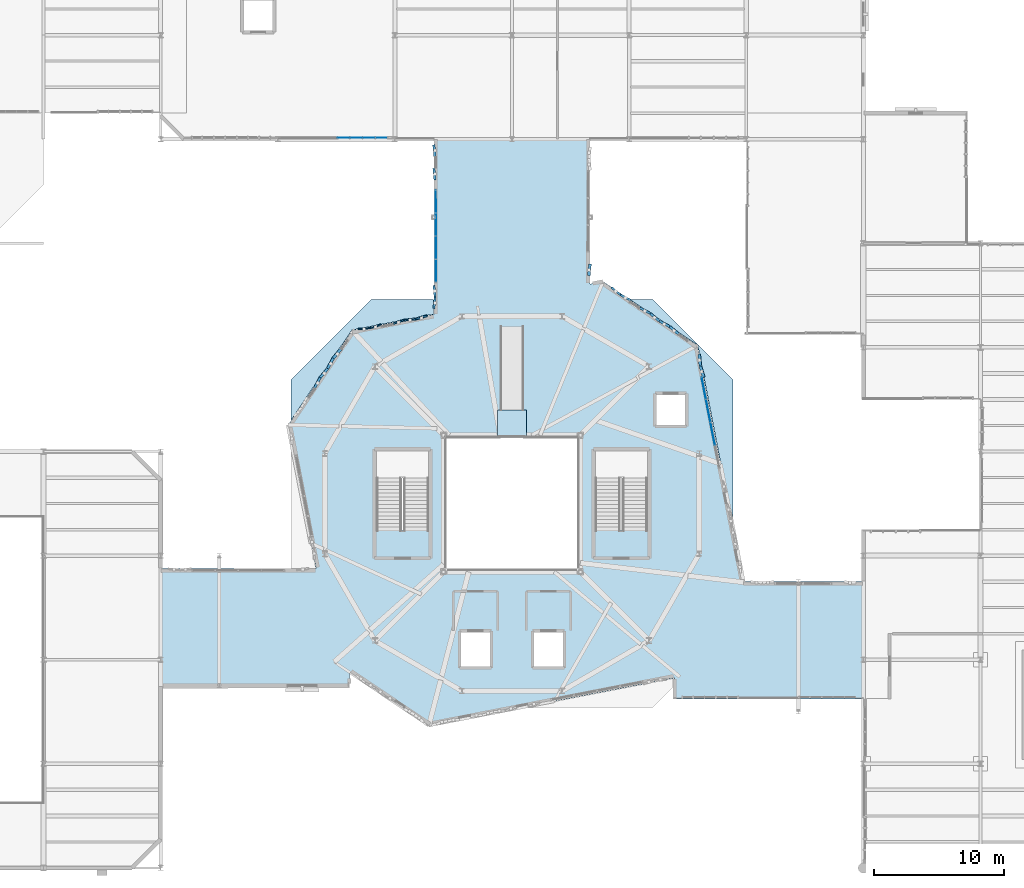
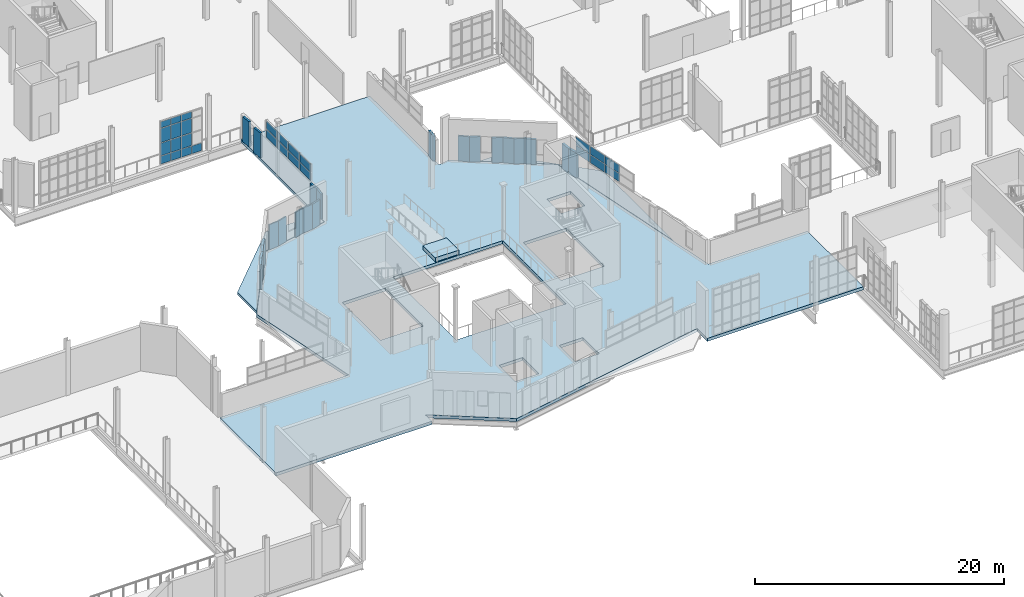
# One storey, part 108 of 142: 49 plates, 4 slabs, 3 elements without a shape of their own.
"""IFC4 building model written with IfcOpenShell, lengths in metres."""

from ifc_helpers import new_model, si_unit, direction, frame, frame_2d, origin, origin_2d, place, context, subcontext, project, spatial, polyline, rectangle, outline, extrude, material, layer, layer_set, type_object, element, aggregate, save


model = new_model("IFC4")

# Units and contexts
model_context = context("Model", 3, precision=1e-05, world=origin(), true_north=direction((0.0, 1.0)))
body_context = subcontext(model_context, "Body", "Model", "MODEL_VIEW")
ifc_project = project(units=[si_unit("LENGTHUNIT", "METRE"), si_unit("AREAUNIT", "SQUARE_METRE"), si_unit("VOLUMEUNIT", "CUBIC_METRE"), si_unit("PLANEANGLEUNIT", "RADIAN"), si_unit("MASSUNIT", "GRAM", prefix="KILO"), si_unit("THERMODYNAMICTEMPERATUREUNIT", "KELVIN"), si_unit("POWERUNIT", "WATT")], contexts=[model_context])

# Site, building, storey
site_placement = place(None, origin())
site = spatial("IfcSite", under=ifc_project, at=site_placement, CompositionType="ELEMENT")
building_placement = place(site_placement, origin())
building = spatial("IfcBuilding", under=site, at=building_placement, Name="Zelmaris Science Centre", CompositionType="ELEMENT")
storey_placement = place(building_placement, frame((0.0, 0.0, 5.39990234375)))
storey = spatial("IfcBuildingStorey", under=building, at=storey_placement, Name="L01", CompositionType="ELEMENT", Elevation=5.39990234375)

# Curtain wall, plates
ifc_material_1 = material(Name="Anodised architectural aluminium 6063-T6", Category="aluminium")
ifc_layer_1 = layer(ifc_material_1, 0.199951171875, Name="Anodised architectural aluminium 6063-T6")
ifc_layer_set_1 = layer_set([ifc_layer_1], Name="Anodised architectural aluminium 6063-T6")
curtain_wall_type_1 = type_object("IfcCurtainWallType", Name="Curtain Wall CW-02", PredefinedType="USERDEFINED", material=ifc_layer_set_1)
curtain_wall_1_placement = place(storey_placement, origin())
curtain_wall_1 = element("IfcCurtainWall", 1, at=curtain_wall_1_placement, inside=storey, type_object=curtain_wall_type_1, Name="L01 Clerestory curtain wall 194", ObjectType="GLAZED CURTAIN WALL", PredefinedType="USERDEFINED")
ifc_material_2 = material(Name="Laminated hurricane-rated low-E insulated glazing", Category="glass")
ifc_layer_2 = layer(ifc_material_2, 0.028076171875, Name="Laminated hurricane-rated low-E insulated glazing")
ifc_layer_set_2 = layer_set([ifc_layer_2], Name="Laminated hurricane-rated low-E insulated glazing")
plate_type_1 = type_object("IfcPlateType", Name="Curtain Glazing Panel CWP-2 28mm", PredefinedType="CURTAIN_PANEL", material=ifc_layer_set_2)
plate_1_placement = place(storey_placement, frame((75.150390625, 53.8779296875, 2.4873046875), z_axis=(0.0, 0.0, 1.0), x_axis=(-0.000778227365, 0.999999697181, 0.0)))
plate_1 = element("IfcPlate", 2, at=plate_1_placement, type_object=plate_type_1, Name="CW-02 panel 1.1", PredefinedType="CURTAIN_PANEL", context=body_context, shape_type="SweptSolid", body=[
    extrude(rectangle(XDim=1.699462890625, YDim=0.028076171875, at=origin_2d()), origin(), (0.0, 0.0, 1.0), 0.779052734375),
])
plate_2_placement = place(storey_placement, frame((75.150390625, 53.8779296875, 3.3330078125), z_axis=(0.0, 0.0, 1.0), x_axis=(-0.000778227365, 0.999999697181, 0.0)))
plate_2 = element("IfcPlate", 3, at=plate_2_placement, type_object=plate_type_1, Name="CW-02 panel 1.2", PredefinedType="CURTAIN_PANEL", context=body_context, shape_type="SweptSolid", body=[
    extrude(rectangle(XDim=1.699462890625, YDim=0.028076171875, at=origin_2d()), origin(), (0.0, 0.0, 1.0), 0.779052734375),
])
plate_3_placement = place(storey_placement, frame((75.14892578125, 55.661376953125, 2.4873046875), z_axis=(0.0, 0.0, 1.0), x_axis=(-0.000778227365, 0.999999697181, 0.0)))
plate_3 = element("IfcPlate", 4, at=plate_3_placement, type_object=plate_type_1, Name="CW-02 panel 2.1", PredefinedType="CURTAIN_PANEL", context=body_context, shape_type="SweptSolid", body=[
    extrude(rectangle(XDim=1.73291015625, YDim=0.028076171875, at=origin_2d()), origin(), (0.0, 0.0, 1.0), 0.779052734375),
])
plate_4_placement = place(storey_placement, frame((75.14892578125, 55.661376953125, 3.3330078125), z_axis=(0.0, 0.0, 1.0), x_axis=(-0.000778227365, 0.999999697181, 0.0)))
plate_4 = element("IfcPlate", 5, at=plate_4_placement, type_object=plate_type_1, Name="CW-02 panel 2.2", PredefinedType="CURTAIN_PANEL", context=body_context, shape_type="SweptSolid", body=[
    extrude(rectangle(XDim=1.73291015625, YDim=0.028076171875, at=origin_2d()), origin(), (0.0, 0.0, 1.0), 0.779052734375),
])
plate_5_placement = place(storey_placement, frame((75.1474609375, 57.461181640625, 2.4873046875), z_axis=(0.0, 0.0, 1.0), x_axis=(-0.000778227365, 0.999999697181, 0.0)))
plate_5 = element("IfcPlate", 6, at=plate_5_placement, type_object=plate_type_1, Name="CW-02 panel 3.1", PredefinedType="CURTAIN_PANEL", context=body_context, shape_type="SweptSolid", body=[
    extrude(rectangle(XDim=1.73291015625, YDim=0.028076171875, at=origin_2d()), origin(), (0.0, 0.0, 1.0), 0.779052734375),
])
plate_6_placement = place(storey_placement, frame((75.1474609375, 57.461181640625, 3.3330078125), z_axis=(0.0, 0.0, 1.0), x_axis=(-0.000778227365, 0.999999697181, 0.0)))
plate_6 = element("IfcPlate", 7, at=plate_6_placement, type_object=plate_type_1, Name="CW-02 panel 3.2", PredefinedType="CURTAIN_PANEL", context=body_context, shape_type="SweptSolid", body=[
    extrude(rectangle(XDim=1.73291015625, YDim=0.028076171875, at=origin_2d()), origin(), (0.0, 0.0, 1.0), 0.779052734375),
])
plate_7_placement = place(storey_placement, frame((75.146240234375, 59.24462890625, 2.4873046875), z_axis=(0.0, 0.0, 1.0), x_axis=(-0.000778227365, 0.999999697181, 0.0)))
plate_7 = element("IfcPlate", 8, at=plate_7_placement, type_object=plate_type_1, Name="CW-02 panel 4.1", PredefinedType="CURTAIN_PANEL", context=body_context, shape_type="SweptSolid", body=[
    extrude(rectangle(XDim=1.699462890625, YDim=0.028076171875, at=origin_2d()), origin(), (0.0, 0.0, 1.0), 0.779052734375),
])
plate_8_placement = place(storey_placement, frame((75.146240234375, 59.24462890625, 3.3330078125), z_axis=(0.0, 0.0, 1.0), x_axis=(-0.000778227365, 0.999999697181, 0.0)))
plate_8 = element("IfcPlate", 9, at=plate_8_placement, type_object=plate_type_1, Name="CW-02 panel 4.2", PredefinedType="CURTAIN_PANEL", context=body_context, shape_type="SweptSolid", body=[
    extrude(rectangle(XDim=1.699462890625, YDim=0.028076171875, at=origin_2d()), origin(), (0.0, 0.0, 1.0), 0.779052734375),
])
aggregate(curtain_wall_1, [plate_1, plate_2, plate_3, plate_4, plate_5, plate_6, plate_7, plate_8])

ifc_layer_3 = layer(ifc_material_1, 0.2099609375, Name="Anodised architectural aluminium 6063-T6")
ifc_layer_set_3 = layer_set([ifc_layer_3], Name="Anodised architectural aluminium 6063-T6")
curtain_wall_type_2 = type_object("IfcCurtainWallType", Name="Curtain Wall CW-03", PredefinedType="USERDEFINED", material=ifc_layer_set_3)
curtain_wall_2_placement = place(storey_placement, origin())
curtain_wall_2 = element("IfcCurtainWall", 10, at=curtain_wall_2_placement, inside=storey, type_object=curtain_wall_type_2, Name="L01 Unitised curtain wall 195", ObjectType="GLAZED CURTAIN WALL", PredefinedType="USERDEFINED")
ifc_layer_4 = layer(ifc_material_2, 0.02587890625, Name="Laminated hurricane-rated low-E insulated glazing")
ifc_layer_set_4 = layer_set([ifc_layer_4], Name="Laminated hurricane-rated low-E insulated glazing")
plate_type_2 = type_object("IfcPlateType", Name="Curtain Glazing Panel CWP-3 26mm", PredefinedType="CURTAIN_PANEL", material=ifc_layer_set_4)
plate_9_placement = place(storey_placement, frame((70.958251953125, 64.106201171875, 0.0419921875), z_axis=(0.0, 0.0, 1.0), x_axis=(-0.999999573965, 0.000923076533, 0.0)))
plate_9 = element("IfcPlate", 11, at=plate_9_placement, type_object=plate_type_2, Name="CW-03 panel 1.1", PredefinedType="CURTAIN_PANEL", context=body_context, shape_type="SweptSolid", body=[
    extrude(rectangle(XDim=0.889404296875, YDim=0.02587890625, at=origin_2d()), origin(), (0.0, 0.0, 1.0), 0.764404296875),
])
plate_10_placement = place(storey_placement, frame((69.99755859375, 64.10693359375, 0.0419921875), z_axis=(0.0, 0.0, 1.0), x_axis=(-0.999999573965, 0.000923076533, 0.0)))
plate_10 = element("IfcPlate", 12, at=plate_10_placement, type_object=plate_type_2, Name="CW-03 panel 2.1", PredefinedType="CURTAIN_PANEL", context=body_context, shape_type="SweptSolid", body=[
    extrude(rectangle(XDim=0.91796875, YDim=0.02587890625, at=origin_2d()), origin(), (0.0, 0.0, 1.0), 0.764404296875),
])
plate_11_placement = place(storey_placement, frame((69.99755859375, 64.10693359375, 0.863525390625), z_axis=(0.0, 0.0, 1.0), x_axis=(-0.999999573965, 0.000923076533, 0.0)))
plate_11 = element("IfcPlate", 13, at=plate_11_placement, type_object=plate_type_2, Name="CW-03 panel 2.2", PredefinedType="CURTAIN_PANEL", context=body_context, shape_type="SweptSolid", body=[
    extrude(rectangle(XDim=0.91796875, YDim=0.02587890625, at=origin_2d()), origin(), (0.0, 0.0, 1.0), 1.2275390625),
])
plate_12_placement = place(storey_placement, frame((69.99755859375, 64.10693359375, 2.148193359375), z_axis=(0.0, 0.0, 1.0), x_axis=(-0.999999573965, 0.000923076533, 0.0)))
plate_12 = element("IfcPlate", 14, at=plate_12_placement, type_object=plate_type_2, Name="CW-03 panel 2.3", PredefinedType="CURTAIN_PANEL", context=body_context, shape_type="SweptSolid", body=[
    extrude(rectangle(XDim=0.91796875, YDim=0.02587890625, at=origin_2d()), origin(), (0.0, 0.0, 1.0), 1.37744140625),
])
plate_13_placement = place(storey_placement, frame((69.99755859375, 64.10693359375, 3.58251953125), z_axis=(0.0, 0.0, 1.0), x_axis=(-0.999999573965, 0.000923076533, 0.0)))
plate_13 = element("IfcPlate", 15, at=plate_13_placement, type_object=plate_type_2, Name="CW-03 panel 2.4", PredefinedType="CURTAIN_PANEL", context=body_context, shape_type="SweptSolid", body=[
    extrude(rectangle(XDim=0.91796875, YDim=0.02587890625, at=origin_2d()), origin(), (0.0, 0.0, 1.0), 0.614501953125),
])
plate_14_placement = place(storey_placement, frame((69.022705078125, 64.10791015625, 0.0419921875), z_axis=(0.0, 0.0, 1.0), x_axis=(-0.999999573965, 0.000923076533, 0.0)))
plate_14 = element("IfcPlate", 16, at=plate_14_placement, type_object=plate_type_2, Name="CW-03 panel 3.1", PredefinedType="CURTAIN_PANEL", context=body_context, shape_type="SweptSolid", body=[
    extrude(rectangle(XDim=0.91796875, YDim=0.02587890625, at=origin_2d()), origin(), (0.0, 0.0, 1.0), 0.764404296875),
])
plate_15_placement = place(storey_placement, frame((69.022705078125, 64.10791015625, 0.863525390625), z_axis=(0.0, 0.0, 1.0), x_axis=(-0.999999573965, 0.000923076533, 0.0)))
plate_15 = element("IfcPlate", 17, at=plate_15_placement, type_object=plate_type_2, Name="CW-03 panel 3.2", PredefinedType="CURTAIN_PANEL", context=body_context, shape_type="SweptSolid", body=[
    extrude(rectangle(XDim=0.91796875, YDim=0.02587890625, at=origin_2d()), origin(), (0.0, 0.0, 1.0), 1.2275390625),
])
plate_16_placement = place(storey_placement, frame((69.022705078125, 64.10791015625, 2.148193359375), z_axis=(0.0, 0.0, 1.0), x_axis=(-0.999999573965, 0.000923076533, 0.0)))
plate_16 = element("IfcPlate", 18, at=plate_16_placement, type_object=plate_type_2, Name="CW-03 panel 3.3", PredefinedType="CURTAIN_PANEL", context=body_context, shape_type="SweptSolid", body=[
    extrude(rectangle(XDim=0.91796875, YDim=0.02587890625, at=origin_2d()), origin(), (0.0, 0.0, 1.0), 1.37744140625),
])
plate_17_placement = place(storey_placement, frame((69.022705078125, 64.10791015625, 3.58251953125), z_axis=(0.0, 0.0, 1.0), x_axis=(-0.999999573965, 0.000923076533, 0.0)))
plate_17 = element("IfcPlate", 19, at=plate_17_placement, type_object=plate_type_2, Name="CW-03 panel 3.4", PredefinedType="CURTAIN_PANEL", context=body_context, shape_type="SweptSolid", body=[
    extrude(rectangle(XDim=0.91796875, YDim=0.02587890625, at=origin_2d()), origin(), (0.0, 0.0, 1.0), 0.614501953125),
])
plate_18_placement = place(storey_placement, frame((68.061767578125, 64.10888671875, 0.0419921875), z_axis=(0.0, 0.0, 1.0), x_axis=(-0.999999573965, 0.000923076533, 0.0)))
plate_18 = element("IfcPlate", 20, at=plate_18_placement, type_object=plate_type_2, Name="CW-03 panel 4.1", PredefinedType="CURTAIN_PANEL", context=body_context, shape_type="SweptSolid", body=[
    extrude(rectangle(XDim=0.889404296875, YDim=0.02587890625, at=origin_2d()), origin(), (0.0, 0.0, 1.0), 0.764404296875),
])
plate_19_placement = place(storey_placement, frame((68.061767578125, 64.10888671875, 0.863525390625), z_axis=(0.0, 0.0, 1.0), x_axis=(-0.999999573965, 0.000923076533, 0.0)))
plate_19 = element("IfcPlate", 21, at=plate_19_placement, type_object=plate_type_2, Name="CW-03 panel 4.2", PredefinedType="CURTAIN_PANEL", context=body_context, shape_type="SweptSolid", body=[
    extrude(rectangle(XDim=0.889404296875, YDim=0.02587890625, at=origin_2d()), origin(), (0.0, 0.0, 1.0), 1.2275390625),
])
plate_20_placement = place(storey_placement, frame((68.061767578125, 64.10888671875, 2.148193359375), z_axis=(0.0, 0.0, 1.0), x_axis=(-0.999999573965, 0.000923076533, 0.0)))
plate_20 = element("IfcPlate", 22, at=plate_20_placement, type_object=plate_type_2, Name="CW-03 panel 4.3", PredefinedType="CURTAIN_PANEL", context=body_context, shape_type="SweptSolid", body=[
    extrude(rectangle(XDim=0.889404296875, YDim=0.02587890625, at=origin_2d()), origin(), (0.0, 0.0, 1.0), 1.37744140625),
])
plate_21_placement = place(storey_placement, frame((68.061767578125, 64.10888671875, 3.58251953125), z_axis=(0.0, 0.0, 1.0), x_axis=(-0.999999573965, 0.000923076533, 0.0)))
plate_21 = element("IfcPlate", 23, at=plate_21_placement, type_object=plate_type_2, Name="CW-03 panel 4.4", PredefinedType="CURTAIN_PANEL", context=body_context, shape_type="SweptSolid", body=[
    extrude(rectangle(XDim=0.889404296875, YDim=0.02587890625, at=origin_2d()), origin(), (0.0, 0.0, 1.0), 0.614501953125),
])
aggregate(curtain_wall_2, [plate_9, plate_10, plate_11, plate_12, plate_13, plate_14, plate_15, plate_16, plate_17, plate_18, plate_19, plate_20, plate_21])

ifc_layer_5 = layer(ifc_material_1, 0.219970703125, Name="Anodised architectural aluminium 6063-T6")
ifc_layer_set_5 = layer_set([ifc_layer_5], Name="Anodised architectural aluminium 6063-T6")
curtain_wall_type_3 = type_object("IfcCurtainWallType", Name="Curtain Wall CW-04", PredefinedType="USERDEFINED", material=ifc_layer_set_5)
curtain_wall_3_placement = place(storey_placement, origin())
curtain_wall_3 = element("IfcCurtainWall", 24, at=curtain_wall_3_placement, inside=storey, type_object=curtain_wall_type_3, Name="L01 Clerestory curtain wall 176", ObjectType="GLAZED CURTAIN WALL", PredefinedType="USERDEFINED")
ifc_layer_6 = layer(ifc_material_2, 0.02392578125, Name="Laminated hurricane-rated low-E insulated glazing")
ifc_layer_set_6 = layer_set([ifc_layer_6], Name="Laminated hurricane-rated low-E insulated glazing")
plate_type_3 = type_object("IfcPlateType", Name="Curtain Glazing Panel CWP-4 24mm", PredefinedType="CURTAIN_PANEL", material=ifc_layer_set_6)
plate_22_placement = place(storey_placement, frame((95.739013671875, 44.880126953125, 2.47216796875), z_axis=(0.0, 0.0, 1.0), x_axis=(0.191750324162, -0.981443739184, 0.0)))
plate_22 = element("IfcPlate", 25, at=plate_22_placement, type_object=plate_type_3, Name="CW-04 panel 1.1", PredefinedType="CURTAIN_PANEL", context=body_context, shape_type="SweptSolid", body=[
    extrude(rectangle(XDim=1.721923828125, YDim=0.02392578125, at=origin_2d()), origin(), (0.0, 0.0, 1.0), 0.79150390625),
])
plate_23_placement = place(storey_placement, frame((95.739013671875, 44.880126953125, 3.315673828125), z_axis=(0.0, 0.0, 1.0), x_axis=(0.191750324162, -0.981443739184, 0.0)))
plate_23 = element("IfcPlate", 26, at=plate_23_placement, type_object=plate_type_3, Name="CW-04 panel 1.2", PredefinedType="CURTAIN_PANEL", context=body_context, shape_type="SweptSolid", body=[
    extrude(rectangle(XDim=1.721923828125, YDim=0.02392578125, at=origin_2d()), origin(), (0.0, 0.0, 1.0), 0.79150390625),
])
plate_24_placement = place(storey_placement, frame((96.08154296875, 43.126220703125, 2.47216796875), z_axis=(0.0, 0.0, 1.0), x_axis=(0.191750324162, -0.981443739184, 0.0)))
plate_24 = element("IfcPlate", 27, at=plate_24_placement, type_object=plate_type_3, Name="CW-04 panel 2.1", PredefinedType="CURTAIN_PANEL", context=body_context, shape_type="SweptSolid", body=[
    extrude(rectangle(XDim=1.748046875, YDim=0.02392578125, at=origin_2d()), origin(), (0.0, 0.0, 1.0), 0.79150390625),
])
plate_25_placement = place(storey_placement, frame((96.08154296875, 43.126220703125, 3.315673828125), z_axis=(0.0, 0.0, 1.0), x_axis=(0.191750324162, -0.981443739184, 0.0)))
plate_25 = element("IfcPlate", 28, at=plate_25_placement, type_object=plate_type_3, Name="CW-04 panel 2.2", PredefinedType="CURTAIN_PANEL", context=body_context, shape_type="SweptSolid", body=[
    extrude(rectangle(XDim=1.748046875, YDim=0.02392578125, at=origin_2d()), origin(), (0.0, 0.0, 1.0), 0.79150390625),
])
plate_26_placement = place(storey_placement, frame((96.4267578125, 41.359619140625, 2.47216796875), z_axis=(0.0, 0.0, 1.0), x_axis=(0.191750324162, -0.981443739184, 0.0)))
plate_26 = element("IfcPlate", 29, at=plate_26_placement, type_object=plate_type_3, Name="CW-04 panel 3.1", PredefinedType="CURTAIN_PANEL", context=body_context, shape_type="SweptSolid", body=[
    extrude(rectangle(XDim=1.748046875, YDim=0.02392578125, at=origin_2d()), origin(), (0.0, 0.0, 1.0), 0.79150390625),
])
plate_27_placement = place(storey_placement, frame((96.4267578125, 41.359619140625, 3.315673828125), z_axis=(0.0, 0.0, 1.0), x_axis=(0.191750324162, -0.981443739184, 0.0)))
plate_27 = element("IfcPlate", 30, at=plate_27_placement, type_object=plate_type_3, Name="CW-04 panel 3.2", PredefinedType="CURTAIN_PANEL", context=body_context, shape_type="SweptSolid", body=[
    extrude(rectangle(XDim=1.748046875, YDim=0.02392578125, at=origin_2d()), origin(), (0.0, 0.0, 1.0), 0.79150390625),
])
aggregate(curtain_wall_3, [plate_22, plate_23, plate_24, plate_25, plate_26, plate_27])

# Plates
ifc_material_3 = material(Name="Precast concrete C40/50", Category="concrete")
ifc_layer_7 = layer(ifc_material_3, 0.110107421875, Name="Precast concrete C40/50")
ifc_layer_set_7 = layer_set([ifc_layer_7], Name="Precast concrete C40/50")
plate_type_4 = type_object("IfcPlateType", Name="Precast Facet Panel FP-01 110mm", PredefinedType="SHEET", material=ifc_layer_set_7)
plate_28_placement = place(storey_placement, frame((69.17822265625, 49.39990234375, 0.02001953125), z_axis=(0.0, 0.0, 1.0), x_axis=(0.995906465618, 0.090389776749, 0.0)))
element("IfcPlate", 31, at=plate_28_placement, inside=storey, type_object=plate_type_4, Name="L01 Folded precast facet panel 48", PredefinedType="SHEET", context=body_context, shape_type="SweptSolid", body=[
    extrude(rectangle(XDim=0.90478515625, YDim=0.110107421875, at=frame_2d((0.452392578125, 0.0))), origin(), (0.0, 0.0, 1.0), 2.4599609375),
])
ifc_layer_8 = layer(ifc_material_3, 0.1201171875, Name="Precast concrete C40/50")
ifc_layer_set_8 = layer_set([ifc_layer_8], Name="Precast concrete C40/50")
plate_type_5 = type_object("IfcPlateType", Name="Precast Facet Panel FP-02 120mm", PredefinedType="SHEET", material=ifc_layer_set_8)
plate_29_placement = place(storey_placement, frame((70.079345703125, 49.481689453125, 0.02001953125), z_axis=(0.0, 0.0, 1.0), x_axis=(0.957237501273, 0.289303242561, 0.0)))
element("IfcPlate", 32, at=plate_29_placement, inside=storey, type_object=plate_type_5, Name="L01 Folded precast facet panel 49", PredefinedType="SHEET", context=body_context, shape_type="SweptSolid", body=[
    extrude(rectangle(XDim=0.904541015625, YDim=0.1201171875, at=frame_2d((0.4521484375, 0.0))), origin(), (0.0, 0.0, 1.0), 2.4599609375),
])
ifc_layer_9 = layer(ifc_material_3, 0.1298828125, Name="Precast concrete C40/50")
ifc_layer_set_9 = layer_set([ifc_layer_9], Name="Precast concrete C40/50")
plate_type_6 = type_object("IfcPlateType", Name="Precast Facet Panel FP-03 130mm", PredefinedType="SHEET", material=ifc_layer_set_9)
plate_30_placement = place(storey_placement, frame((71.84619140625, 49.8251953125, 0.02001953125), z_axis=(0.0, 0.0, 1.0), x_axis=(0.957237501273, 0.289303242561, 0.0)))
element("IfcPlate", 33, at=plate_30_placement, inside=storey, type_object=plate_type_6, Name="L01 Folded precast facet panel 50", PredefinedType="SHEET", context=body_context, shape_type="SweptSolid", body=[
    extrude(rectangle(XDim=0.904541015625, YDim=0.1298828125, at=frame_2d((0.4521484375, 0.0))), origin(), (0.0, 0.0, 1.0), 2.4599609375),
])
ifc_layer_10 = layer(ifc_material_3, 0.139892578125, Name="Precast concrete C40/50")
ifc_layer_set_10 = layer_set([ifc_layer_10], Name="Precast concrete C40/50")
plate_type_7 = type_object("IfcPlateType", Name="Precast Facet Panel FP-04 140mm", PredefinedType="SHEET", material=ifc_layer_set_10)
plate_31_placement = place(storey_placement, frame((72.712158203125, 50.0869140625, 0.02001953125), z_axis=(0.0, 0.0, 1.0), x_axis=(0.995904260213, 0.090414072404, 0.0)))
element("IfcPlate", 34, at=plate_31_placement, inside=storey, type_object=plate_type_7, Name="L01 Folded precast facet panel 51", PredefinedType="SHEET", context=body_context, shape_type="SweptSolid", body=[
    extrude(rectangle(XDim=0.904541015625, YDim=0.139892578125, at=frame_2d((0.4521484375, 0.0))), origin(), (0.0, 0.0, 1.0), 2.4599609375),
])
ifc_layer_11 = layer(ifc_material_3, 0.14990234375, Name="Precast concrete C40/50")
ifc_layer_set_11 = layer_set([ifc_layer_11], Name="Precast concrete C40/50")
plate_type_8 = type_object("IfcPlateType", Name="Precast Facet Panel FP-05 150mm", PredefinedType="SHEET", material=ifc_layer_set_11)
plate_32_placement = place(storey_placement, frame((88.636962890625, 52.6201171875, 0.02001953125), z_axis=(0.0, 0.0, 1.0), x_axis=(0.768044287634, -0.640396730342, 0.0)))
element("IfcPlate", 35, at=plate_32_placement, inside=storey, type_object=plate_type_8, Name="L01 Folded precast facet panel 16", PredefinedType="SHEET", context=body_context, shape_type="SweptSolid", body=[
    extrude(rectangle(XDim=0.90478515625, YDim=0.14990234375, at=frame_2d((0.452392578125, 0.0))), origin(), (0.0, 0.0, 1.0), 2.4599609375),
])
plate_33_placement = place(storey_placement, frame((73.613037109375, 50.168701171875, 0.02001953125), z_axis=(0.0, 0.0, 1.0), x_axis=(0.957237501273, 0.289303242561, 0.0)))
element("IfcPlate", 36, at=plate_33_placement, inside=storey, type_object=plate_type_8, Name="L01 Folded precast facet panel 52", PredefinedType="SHEET", context=body_context, shape_type="SweptSolid", body=[
    extrude(rectangle(XDim=0.904541015625, YDim=0.14990234375, at=frame_2d((0.4521484375, 0.0))), origin(), (0.0, 0.0, 1.0), 2.4599609375),
])
ifc_layer_12 = layer(ifc_material_3, 0.159912109375, Name="Precast concrete C40/50")
ifc_layer_set_12 = layer_set([ifc_layer_12], Name="Precast concrete C40/50")
plate_type_9 = type_object("IfcPlateType", Name="Precast Facet Panel FP-06 160mm", PredefinedType="SHEET", material=ifc_layer_set_12)
for number, where, z_axis, x_axis, name in (
    (37, (89.331787109375, 52.040771484375, 0.02001953125), (0.0, 0.0, 1.0), (0.881327482034, -0.47250594643, 0.0), "L01 Folded precast facet panel 17"),
    (38, (75.0009765625, 50.9716796875, 0.02001953125), (0.0, 0.0, 1.0), (0.100385378427, 0.994948629728, 0.0), "L01 Folded precast facet panel 53"),
):
    element("IfcPlate", number, at=place(storey_placement, frame(where, z_axis=z_axis, x_axis=x_axis)), inside=storey, type_object=plate_type_9, Name=name, PredefinedType="SHEET", context=body_context, shape_type="SweptSolid", body=[
        extrude(rectangle(XDim=0.90478515625, YDim=0.159912109375, at=frame_2d((0.452392578125, 0.0))), origin(), (0.0, 0.0, 1.0), 2.4599609375),
    ])
ifc_layer_13 = layer(ifc_material_3, 0.169921875, Name="Precast concrete C40/50")
ifc_layer_set_13 = layer_set([ifc_layer_13], Name="Precast concrete C40/50")
plate_type_10 = type_object("IfcPlateType", Name="Precast Facet Panel FP-07 170mm", PredefinedType="SHEET", material=ifc_layer_set_13)
for number, where, z_axis, x_axis, name in (
    (39, (90.82421875, 51.0341796875, 0.02001953125), (0.0, 0.0, 1.0), (0.8814398454, -0.472296304179, 0.0), "L01 Folded precast facet panel 18"),
    (40, (75.091796875, 51.871826171875, 0.02001953125), (0.0, 0.0, 1.0), (-0.102015169491, 0.994782843235, 0.0), "L01 Folded precast facet panel 54"),
):
    element("IfcPlate", number, at=place(storey_placement, frame(where, z_axis=z_axis, x_axis=x_axis)), inside=storey, type_object=plate_type_10, Name=name, PredefinedType="SHEET", context=body_context, shape_type="SweptSolid", body=[
        extrude(rectangle(XDim=0.904541015625, YDim=0.169921875, at=frame_2d((0.4521484375, 0.0))), origin(), (0.0, 0.0, 1.0), 2.4599609375),
    ])
ifc_layer_14 = layer(ifc_material_3, 0.179931640625, Name="Precast concrete C40/50")
ifc_layer_set_14 = layer_set([ifc_layer_14], Name="Precast concrete C40/50")
plate_type_11 = type_object("IfcPlateType", Name="Precast Facet Panel FP-08 180mm", PredefinedType="SHEET", material=ifc_layer_set_14)
plate_34_placement = place(storey_placement, frame((91.62158203125, 50.60693359375, 0.02001953125), z_axis=(0.0, 0.0, 1.0), x_axis=(0.768044287634, -0.640396730342, 0.0)))
element("IfcPlate", 41, at=plate_34_placement, inside=storey, type_object=plate_type_11, Name="L01 Folded precast facet panel 19", PredefinedType="SHEET", context=body_context, shape_type="SweptSolid", body=[
    extrude(rectangle(XDim=0.90478515625, YDim=0.179931640625, at=frame_2d((0.452392578125, 0.0))), origin(), (0.0, 0.0, 1.0), 2.4599609375),
])
plate_35_placement = place(storey_placement, frame((75.0849609375, 60.871826171875, 0.02001953125), z_axis=(0.0, 0.0, 1.0), x_axis=(-0.102015169491, 0.994782843235, 0.0)))
element("IfcPlate", 42, at=plate_35_placement, inside=storey, type_object=plate_type_11, Name="L01 Folded precast facet panel 55", PredefinedType="SHEET", context=body_context, shape_type="SweptSolid", body=[
    extrude(rectangle(XDim=0.904541015625, YDim=0.179931640625, at=frame_2d((0.4521484375, 0.0))), origin(), (0.0, 0.0, 1.0), 2.4599609375),
])
ifc_layer_15 = layer(ifc_material_3, 0.18994140625, Name="Precast concrete C40/50")
ifc_layer_set_15 = layer_set([ifc_layer_15], Name="Precast concrete C40/50")
plate_type_12 = type_object("IfcPlateType", Name="Precast Facet Panel FP-09 190mm", PredefinedType="SHEET", material=ifc_layer_set_15)
plate_36_placement = place(storey_placement, frame((92.31640625, 50.027587890625, 0.02001953125), z_axis=(0.0, 0.0, 1.0), x_axis=(0.8814398454, -0.472296304179, 0.0)))
element("IfcPlate", 43, at=plate_36_placement, inside=storey, type_object=plate_type_12, Name="L01 Folded precast facet panel 20", PredefinedType="SHEET", context=body_context, shape_type="SweptSolid", body=[
    extrude(rectangle(XDim=0.904541015625, YDim=0.18994140625, at=frame_2d((0.4521484375, 0.0))), origin(), (0.0, 0.0, 1.0), 2.4599609375),
])
plate_37_placement = place(storey_placement, frame((65.830810546875, 44.87939453125, 0.02001953125), z_axis=(0.0, 0.0, 1.0), x_axis=(0.47250594643, 0.881327482034, 0.0)))
element("IfcPlate", 44, at=plate_37_placement, inside=storey, type_object=plate_type_12, Name="L01 Folded precast facet panel 44", PredefinedType="SHEET", context=body_context, shape_type="SweptSolid", body=[
    extrude(rectangle(XDim=0.90478515625, YDim=0.18994140625, at=frame_2d((0.452392578125, 0.0))), origin(), (0.0, 0.0, 1.0), 2.4599609375),
])
plate_38_placement = place(storey_placement, frame((75.08349609375, 62.671875, 0.02001953125), z_axis=(0.0, 0.0, 1.0), x_axis=(-0.102015169491, 0.994782843235, 0.0)))
element("IfcPlate", 45, at=plate_38_placement, inside=storey, type_object=plate_type_12, Name="L01 Folded precast facet panel 56", PredefinedType="SHEET", context=body_context, shape_type="SweptSolid", body=[
    extrude(rectangle(XDim=0.904541015625, YDim=0.18994140625, at=frame_2d((0.4521484375, 0.0))), origin(), (0.0, 0.0, 1.0), 2.4599609375),
])
ifc_layer_16 = layer(ifc_material_3, 0.199951171875, Name="Precast concrete C40/50")
ifc_layer_set_16 = layer_set([ifc_layer_16], Name="Precast concrete C40/50")
plate_type_13 = type_object("IfcPlateType", Name="Precast Facet Panel FP-10 200mm", PredefinedType="SHEET", material=ifc_layer_set_16)
for number, where, z_axis, x_axis, name in (
    (46, (93.11376953125, 49.600341796875, 0.02001953125), (0.0, 0.0, 1.0), (0.768177029463, -0.640237496095, 0.0), "L01 Folded precast facet panel 21"),
    (47, (66.25830078125, 45.6767578125, 0.02001953125), (0.0, 0.0, 1.0), (0.640237496095, 0.768177029463, 0.0), "L01 Folded precast facet panel 45"),
):
    element("IfcPlate", number, at=place(storey_placement, frame(where, z_axis=z_axis, x_axis=x_axis)), inside=storey, type_object=plate_type_13, Name=name, PredefinedType="SHEET", context=body_context, shape_type="SweptSolid", body=[
        extrude(rectangle(XDim=0.904541015625, YDim=0.199951171875, at=frame_2d((0.4521484375, 0.0))), origin(), (0.0, 0.0, 1.0), 2.4599609375),
    ])
ifc_layer_17 = layer(ifc_material_3, 0.2099609375, Name="Precast concrete C40/50")
ifc_layer_set_17 = layer_set([ifc_layer_17], Name="Precast concrete C40/50")
plate_type_14 = type_object("IfcPlateType", Name="Precast Facet Panel FP-11 210mm", PredefinedType="SHEET", material=ifc_layer_set_17)
plate_39_placement = place(storey_placement, frame((95.38623046875, 47.47607421875, 0.02001953125), z_axis=(0.0, 0.0, 1.0), x_axis=(0.091484660875, -0.995806485631, 0.0)))
element("IfcPlate", 48, at=plate_39_placement, inside=storey, type_object=plate_type_14, Name="L01 Folded precast facet panel 22", PredefinedType="SHEET", context=body_context, shape_type="SweptSolid", body=[
    extrude(rectangle(XDim=0.90478515625, YDim=0.2099609375, at=frame_2d((0.452392578125, 0.0))), origin(), (0.0, 0.0, 1.0), 2.4599609375),
])
plate_40_placement = place(storey_placement, frame((66.83740234375, 46.37158203125, 0.02001953125), z_axis=(0.0, 0.0, 1.0), x_axis=(0.472296304179, 0.8814398454, 0.0)))
element("IfcPlate", 49, at=plate_40_placement, inside=storey, type_object=plate_type_14, Name="L01 Folded precast facet panel 46", PredefinedType="SHEET", context=body_context, shape_type="SweptSolid", body=[
    extrude(rectangle(XDim=0.904541015625, YDim=0.2099609375, at=frame_2d((0.4521484375, 0.0))), origin(), (0.0, 0.0, 1.0), 2.4599609375),
])
ifc_layer_18 = layer(ifc_material_3, 0.219970703125, Name="Precast concrete C40/50")
ifc_layer_set_18 = layer_set([ifc_layer_18], Name="Precast concrete C40/50")
plate_type_15 = type_object("IfcPlateType", Name="Precast Facet Panel FP-12 220mm", PredefinedType="SHEET", material=ifc_layer_set_18)
for number, where, z_axis, x_axis, name in (
    (50, (95.468994140625, 46.5751953125, 0.02001953125), (0.0, 0.0, 1.0), (0.290119748224, -0.956990350887, 0.0), "L01 Folded precast facet panel 23"),
    (51, (86.994140625, 54.410888671875, 0.02001953125), (0.0, 0.0, 1.0), (-0.102843894365, -0.994697508488, 0.0), "L01 Folded precast facet panel 35"),
):
    element("IfcPlate", number, at=place(storey_placement, frame(where, z_axis=z_axis, x_axis=x_axis)), inside=storey, type_object=plate_type_15, Name=name, PredefinedType="SHEET", context=body_context, shape_type="SweptSolid", body=[
        extrude(rectangle(XDim=0.904541015625, YDim=0.219970703125, at=frame_2d((0.4521484375, 0.0))), origin(), (0.0, 0.0, 1.0), 2.4599609375),
    ])
plate_41_placement = place(storey_placement, frame((67.2646484375, 47.1689453125, 0.02001953125), z_axis=(0.0, 0.0, 1.0), x_axis=(0.640264012899, 0.768154928244, 0.0)))
element("IfcPlate", 52, at=plate_41_placement, inside=storey, type_object=plate_type_15, Name="L01 Folded precast facet panel 47", PredefinedType="SHEET", context=body_context, shape_type="SweptSolid", body=[
    extrude(rectangle(XDim=0.90478515625, YDim=0.219970703125, at=frame_2d((0.452392578125, 0.0))), origin(), (0.0, 0.0, 1.0), 2.4599609375),
])

# Slabs
ifc_material_4 = material(Name="Concrete C35/45", Category="concrete")
ifc_layer_19 = layer(ifc_material_4, 0.300048828125, Name="Concrete C35/45")
ifc_layer_set_19 = layer_set([ifc_layer_19], Name="Concrete C35/45")
slab_type_1 = type_object("IfcSlabType", Name="Slab SL-FL300 300mm", PredefinedType="FLOOR", material=ifc_layer_set_19)
slab_1_placement = place(storey_placement, frame((0.0, 0.0, -0.2998046875)))
element("IfcSlab", 53, at=slab_1_placement, inside=storey, type_object=slab_type_1, Name="L01 Rotated exhibition hall slab", PredefinedType="FLOOR", context=body_context, shape_type="SweptSolid", body=[
    extrude(outline(polyline([(75.0, 64.00390625), (87.0, 64.00390625), (87.0, 52.87255859375), (87.99169921875, 53.0654296875), (95.2607421875, 48.162353515625), (98.791259765625, 30.0), (108.00390625, 30.0), (108.00390625, 21.0), (93.5, 21.0), (93.5, 22.60693359375), (74.6083984375, 18.934814453125), (68.5, 23.0546875), (68.5, 22.0), (53.99609375, 22.0), (53.99609375, 31.0), (65.947021484375, 31.0), (63.7998046875, 42.046875), (68.70263671875, 49.31591796875), (75.0, 50.5400390625), (75.0, 64.00390625)]), holes=[polyline([(75.89990234375, 30.89990234375), (86.10009765625, 30.89990234375), (86.10009765625, 41.10009765625), (75.89990234375, 41.10009765625), (75.89990234375, 30.89990234375)]), polyline([(74.60009765625, 33.919921875), (74.60009765625, 40.050048828125), (70.60009765625, 40.050048828125), (70.60009765625, 33.919921875), (74.60009765625, 33.919921875)]), polyline([(91.39990234375, 33.919921875), (91.39990234375, 40.050048828125), (87.39990234375, 40.050048828125), (87.39990234375, 33.919921875), (91.39990234375, 33.919921875)]), polyline([(77.10009765625, 23.5), (79.300048828125, 23.5), (79.300048828125, 26.10009765625), (77.10009765625, 26.10009765625), (77.10009765625, 23.5)]), polyline([(82.699951171875, 23.5), (84.89990234375, 23.5), (84.89990234375, 26.10009765625), (82.699951171875, 26.10009765625), (82.699951171875, 23.5)]), polyline([(92.10009765625, 42.050048828125), (94.300048828125, 42.050048828125), (94.300048828125, 44.35009765625), (92.10009765625, 44.35009765625), (92.10009765625, 42.050048828125)])]), origin(), (0.0, 0.0, 1.0), 0.2998046875),
])
ifc_layer_20 = layer(ifc_material_4, 0.419921875, Name="Concrete C35/45")
ifc_layer_set_20 = layer_set([ifc_layer_20], Name="Concrete C35/45")
slab_type_2 = type_object("IfcSlabType", Name="Slab SL-LD420 420mm", PredefinedType="LANDING", material=ifc_layer_set_20)
slab_2_placement = place(storey_placement, origin())
element("IfcSlab", 54, at=slab_2_placement, inside=storey, type_object=slab_type_2, Name="L01 Atrium overlook ramp arrival landing", PredefinedType="LANDING", context=body_context, shape_type="SweptSolid", body=[
    extrude(outline(polyline([(79.89990234375, 41.199951171875), (82.10009765625, 41.199951171875), (82.10009765625, 43.199951171875), (79.89990234375, 43.199951171875), (79.89990234375, 41.199951171875)])), origin(), (0.0, 0.0, 1.0), 0.420166015625),
])
ifc_layer_21 = layer(ifc_material_4, 0.219970703125, Name="Concrete C35/45")
ifc_layer_set_21 = layer_set([ifc_layer_21], Name="Concrete C35/45")
slab_type_3 = type_object("IfcSlabType", Name="Slab SL-RF220 220mm", PredefinedType="ROOF", material=ifc_layer_set_21)
slab_3_placement = place(storey_placement, frame((0.0, 0.0, -0.219970703125)))
element("IfcSlab", 55, at=slab_3_placement, inside=storey, type_object=slab_type_3, Name="L01 Exhibition setback cornice roof 1", PredefinedType="ROOF", context=body_context, shape_type="SweptSolid", body=[
    extrude(outline(polyline([(70.199951171875, 51.699951171875), (74.97998046875, 51.699951171875), (74.97998046875, 50.556640625), (68.690185546875, 49.33154296875), (64.0, 42.379638671875), (64.0, 45.5), (70.199951171875, 51.699951171875)])), origin(), (0.0, 0.0, 1.0), 0.219970703125),
])
slab_4_placement = place(storey_placement, frame((0.0, 0.0, -0.219970703125)))
element("IfcSlab", 56, at=slab_4_placement, inside=storey, type_object=slab_type_3, Name="L01 Exhibition setback cornice roof 2", PredefinedType="ROOF", context=body_context, shape_type="SweptSolid", body=[
    extrude(outline(polyline([(98.0, 45.5), (98.0, 34.17529296875), (95.279296875, 48.169921875), (90.0517578125, 51.699951171875), (91.800048828125, 51.699951171875), (98.0, 45.5)])), origin(), (0.0, 0.0, 1.0), 0.219970703125),
])

save(model, "model.ifc")
